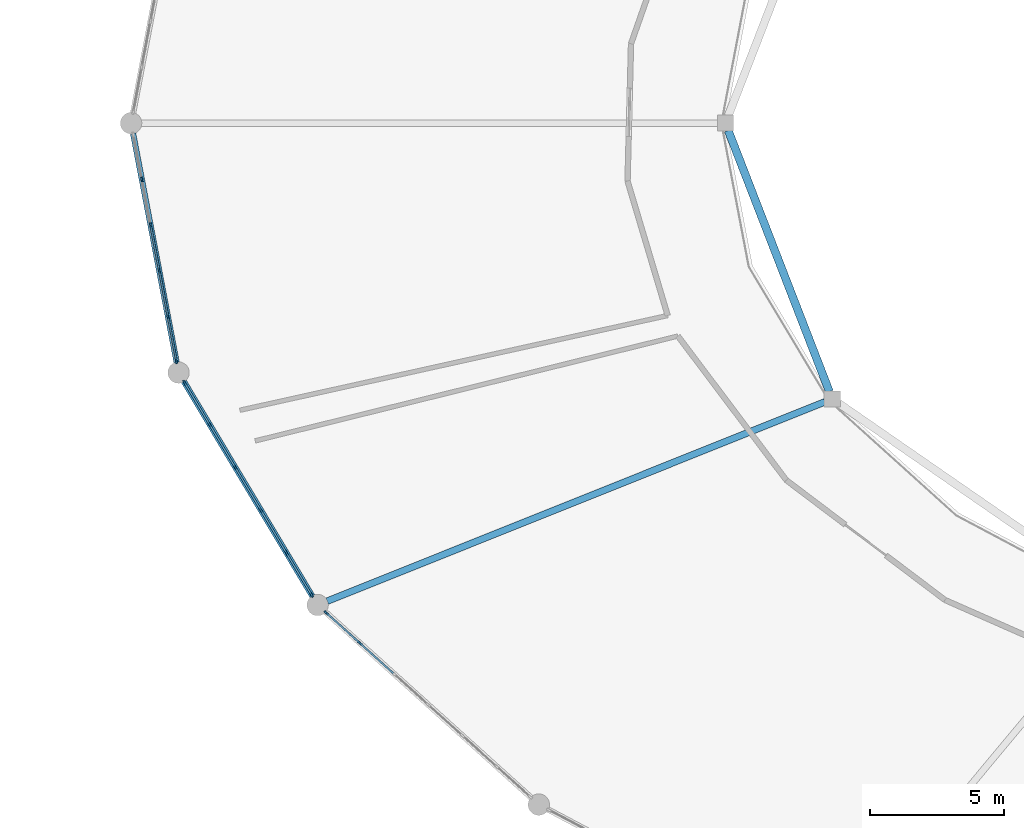
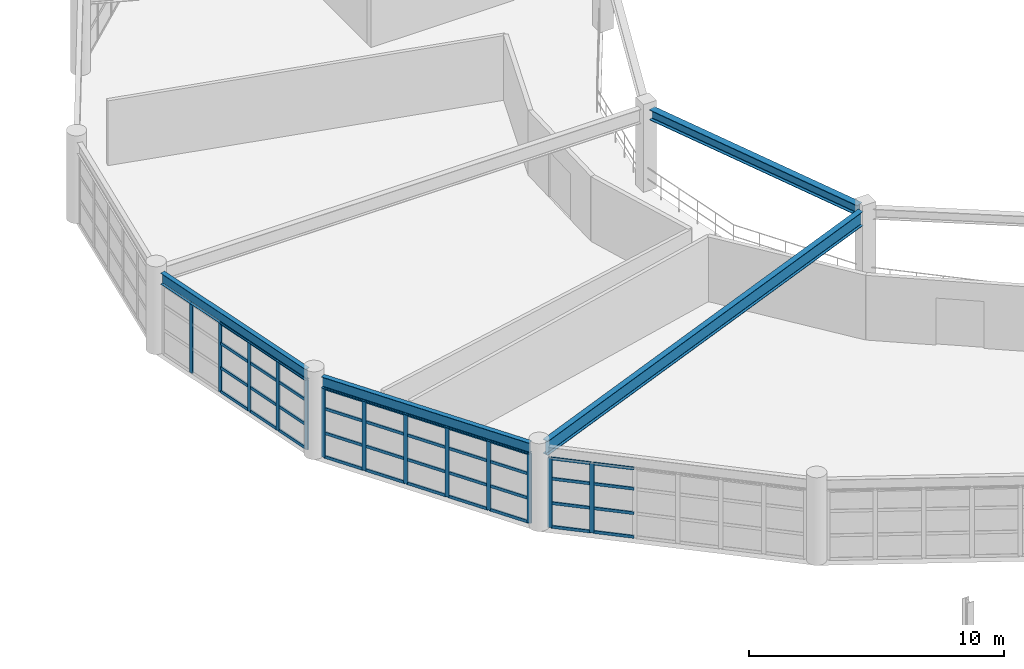
# One storey, part 32 of 100: 53 members, 4 beams, 3 elements without a shape of their own.
"""IFC4 building model written with IfcOpenShell, lengths in metres."""

from ifc_helpers import new_model, si_unit, direction, frame, origin, origin_2d, place, context, subcontext, project, spatial, rectangle, i_section, extrude, material, layer, layer_set, material_profile, profile_set, type_object, element, aggregate, save


model = new_model("IFC4")

# Units and contexts
model_context = context("Model", 3, precision=1e-05, world=origin(), true_north=direction((0.0, 1.0)))
body_context = subcontext(model_context, "Body", "Model", "MODEL_VIEW")
ifc_project = project(units=[si_unit("LENGTHUNIT", "METRE"), si_unit("AREAUNIT", "SQUARE_METRE"), si_unit("VOLUMEUNIT", "CUBIC_METRE"), si_unit("PLANEANGLEUNIT", "RADIAN"), si_unit("MASSUNIT", "GRAM", prefix="KILO")], contexts=[model_context])

# Site, building, storey
site_placement = place(None, origin())
site = spatial("IfcSite", under=ifc_project, at=site_placement, CompositionType="ELEMENT")
building_placement = place(site_placement, origin())
building = spatial("IfcBuilding", under=site, at=building_placement, Name="Kivolera Central Railway Station", CompositionType="ELEMENT")
storey_placement = place(building_placement, frame((0.0, 0.0, 5.39990234375)))
storey = spatial("IfcBuildingStorey", under=building, at=storey_placement, Name="L01", CompositionType="ELEMENT", Elevation=5.39990234375)

# Beams
ifc_material_1 = material(Name="Steel S355", Category="steel")
ifc_material_profile_1 = material_profile(ifc_material_1, i_section(OverallWidth=0.300048828125, OverallDepth=0.489990234375, WebThickness=0.011962890625, FlangeThickness=0.02294921875, FilletRadius=0.027099609375, at=origin_2d()), Name="HEA 500")
ifc_profile_set_1 = profile_set([ifc_material_profile_1], Name="Steel S355")
beam_type_1 = type_object("IfcBeamType", Name="BM-SHD-HEA500", PredefinedType="BEAM", material=ifc_profile_set_1)
beam_1_placement = place(storey_placement, frame((34.305908203125, 89.72802734375, 3.633056640625), z_axis=(0.361282774201, -0.932456303033, 0.0), x_axis=(0.932456303033, 0.361282774201, 0.0)))
element("IfcBeam", 1, at=beam_1_placement, inside=storey, type_object=beam_type_1, Name="L01 Oval Inner Gallery Ring Beam 07", PredefinedType="BEAM", context=body_context, shape_type="SweptSolid", body=[
    extrude(i_section(OverallWidth=0.300048828125, OverallDepth=0.489990234375, WebThickness=0.011962890625, FlangeThickness=0.02294921875, FilletRadius=0.027099609375, at=origin_2d()), origin(), (0.0, 0.0, 1.0), 10.462890625),
])
ifc_material_profile_2 = material_profile(ifc_material_1, i_section(OverallWidth=0.209228515625, OverallDepth=0.533203125, WebThickness=0.010009765625, FlangeThickness=0.015625, FilletRadius=0.0126953125, at=origin_2d()), Name="UB 533x210x92")
ifc_profile_set_2 = profile_set([ifc_material_profile_2], Name="Steel S355")
beam_type_2 = type_object("IfcBeamType", Name="BM-SHD-UB533", PredefinedType="BEAM", material=ifc_profile_set_2)
beam_2_placement = place(storey_placement, frame((12.072998046875, 89.616943359375, 3.611083984375), z_axis=(0.186802767636, -0.982397437906, 0.0), x_axis=(0.982397437906, 0.186802767636, 0.0)))
element("IfcBeam", 2, at=beam_2_placement, inside=storey, type_object=beam_type_2, Name="L01 Oval Perimeter Ring Beam 13", PredefinedType="BEAM", context=body_context, shape_type="SweptSolid", body=[
    extrude(i_section(OverallWidth=0.209228515625, OverallDepth=0.533203125, WebThickness=0.010009765625, FlangeThickness=0.015625, FilletRadius=0.0126953125, at=origin_2d()), origin(), (0.0, 0.0, 1.0), 8.704345703125),
])
beam_3_placement = place(storey_placement, frame((13.971923828125, 80.347900390625, 3.611083984375), z_axis=(0.513503459376, -0.858087523047, 0.0), x_axis=(0.858087523047, 0.513503459376, 0.0)))
element("IfcBeam", 3, at=beam_3_placement, inside=storey, type_object=beam_type_2, Name="L01 Oval Perimeter Ring Beam 14", PredefinedType="BEAM", context=body_context, shape_type="SweptSolid", body=[
    extrude(i_section(OverallWidth=0.209228515625, OverallDepth=0.533203125, WebThickness=0.010009765625, FlangeThickness=0.015625, FilletRadius=0.0126953125, at=origin_2d()), origin(), (0.0, 0.0, 1.0), 9.338134765625),
])
ifc_material_profile_3 = material_profile(ifc_material_1, i_section(OverallWidth=0.253662109375, OverallDepth=0.68359375, WebThickness=0.012451171875, FlangeThickness=0.01904296875, FilletRadius=0.01513671875, at=origin_2d()), Name="UB 686x254x140")
ifc_profile_set_3 = profile_set([ifc_material_profile_3], Name="Steel S355")
beam_type_3 = type_object("IfcBeamType", Name="BM-SHD-UB686", PredefinedType="BEAM", material=ifc_profile_set_3)
beam_4_placement = place(storey_placement, frame((37.9208984375, 79.591064453125, 3.5361328125), z_axis=(-0.928316028373, -0.371792080961, 0.0), x_axis=(0.371792080961, -0.928316028373, 0.0)))
element("IfcBeam", 4, at=beam_4_placement, inside=storey, type_object=beam_type_3, Name="L01 Oval Gallery Radial Girder 08", PredefinedType="BEAM", context=body_context, shape_type="SweptSolid", body=[
    extrude(i_section(OverallWidth=0.253662109375, OverallDepth=0.68359375, WebThickness=0.012451171875, FlangeThickness=0.01904296875, FilletRadius=0.01513671875, at=origin_2d()), origin(), (0.0, 0.0, 1.0), 20.02734375),
])

# Curtain wall, members
ifc_material_2 = material(Name="Anodised aluminium", Category="aluminium")
ifc_layer_1 = layer(ifc_material_2, 0.179931640625, Name="Anodised aluminium")
ifc_layer_set_1 = layer_set([ifc_layer_1], Name="Anodised aluminium")
curtain_wall_type_1 = type_object("IfcCurtainWallType", Name="CW-SYS-14", PredefinedType="NOTDEFINED", material=ifc_layer_set_1)
curtain_wall_1_placement = place(storey_placement, origin())
curtain_wall_1 = element("IfcCurtainWall", 5, at=curtain_wall_1_placement, inside=storey, type_object=curtain_wall_type_1, Name="L01 Curtain Wall CW-L01-OVL-12", PredefinedType="NOTDEFINED")
ifc_material_profile_4 = material_profile(ifc_material_2, rectangle(XDim=0.070068359375, YDim=0.179931640625, at=origin_2d()), Name="ALU MULL 70x180")
ifc_profile_set_4 = profile_set([ifc_material_profile_4], Name="Anodised aluminium")
member_type_1 = type_object("IfcMemberType", Name="CWM-MUL-1", PredefinedType="MULLION", material=ifc_profile_set_4)
member_1_placement = place(storey_placement, frame((13.6904296875, 81.1103515625, -0.0048828125), z_axis=(0.0, 0.0, 1.0), x_axis=(-0.982401003624, -0.186784014515, 0.0)))
member_1 = element("IfcMember", 6, at=member_1_placement, type_object=member_type_1, Name="CW-14 mullion 1", PredefinedType="MULLION", context=body_context, shape_type="SweptSolid", body=[
    extrude(rectangle(XDim=0.070068359375, YDim=0.179931640625, at=origin_2d()), origin(), (0.0, 0.0, 1.0), 3.344970703125),
])
member_2_placement = place(storey_placement, frame((13.37255859375, 82.7822265625, -0.0048828125), z_axis=(0.0, 0.0, 1.0), x_axis=(-0.982401003624, -0.186784014515, 0.0)))
member_2 = element("IfcMember", 7, at=member_2_placement, type_object=member_type_1, Name="CW-14 mullion 2", PredefinedType="MULLION", context=body_context, shape_type="SweptSolid", body=[
    extrude(rectangle(XDim=0.070068359375, YDim=0.179931640625, at=origin_2d()), origin(), (0.0, 0.0, 1.0), 3.344970703125),
])
member_3_placement = place(storey_placement, frame((13.048095703125, 84.48828125, -0.0048828125), z_axis=(0.0, 0.0, 1.0), x_axis=(-0.982401003624, -0.186784014515, 0.0)))
member_3 = element("IfcMember", 8, at=member_3_placement, type_object=member_type_1, Name="CW-14 mullion 3", PredefinedType="MULLION", context=body_context, shape_type="SweptSolid", body=[
    extrude(rectangle(XDim=0.070068359375, YDim=0.179931640625, at=origin_2d()), origin(), (0.0, 0.0, 1.0), 3.344970703125),
])
member_4_placement = place(storey_placement, frame((12.723876953125, 86.194580078125, -0.0048828125), z_axis=(0.0, 0.0, 1.0), x_axis=(-0.982401003624, -0.186784014515, 0.0)))
member_4 = element("IfcMember", 9, at=member_4_placement, type_object=member_type_1, Name="CW-14 mullion 4", PredefinedType="MULLION", context=body_context, shape_type="SweptSolid", body=[
    extrude(rectangle(XDim=0.070068359375, YDim=0.179931640625, at=origin_2d()), origin(), (0.0, 0.0, 1.0), 3.344970703125),
])
member_5_placement = place(storey_placement, frame((12.3994140625, 87.90087890625, -0.0048828125), z_axis=(0.0, 0.0, 1.0), x_axis=(-0.982401003624, -0.186784014515, 0.0)))
member_5 = element("IfcMember", 10, at=member_5_placement, type_object=member_type_1, Name="CW-14 mullion 5", PredefinedType="MULLION", context=body_context, shape_type="SweptSolid", body=[
    extrude(rectangle(XDim=0.070068359375, YDim=0.179931640625, at=origin_2d()), origin(), (0.0, 0.0, 1.0), 3.344970703125),
])

ifc_layer_2 = layer(ifc_material_2, 0.179931640625, Name="Anodised aluminium")
ifc_layer_set_2 = layer_set([ifc_layer_2], Name="Anodised aluminium")
curtain_wall_type_2 = type_object("IfcCurtainWallType", Name="CW-SYS-02", PredefinedType="NOTDEFINED", material=ifc_layer_set_2)
curtain_wall_2_placement = place(storey_placement, origin())
curtain_wall_2 = element("IfcCurtainWall", 11, at=curtain_wall_2_placement, inside=storey, type_object=curtain_wall_type_2, Name="L01 Curtain Wall CW-L01-OVL-13", PredefinedType="NOTDEFINED")
member_6_placement = place(storey_placement, frame((18.744140625, 72.373046875, -0.0048828125), z_axis=(0.0, 0.0, 1.0), x_axis=(-0.858117186396, -0.513453887327, 0.0)))
member_6 = element("IfcMember", 12, at=member_6_placement, type_object=member_type_1, Name="CW-02 mullion 1", PredefinedType="MULLION", context=body_context, shape_type="SweptSolid", body=[
    extrude(rectangle(XDim=0.070068359375, YDim=0.179931640625, at=origin_2d()), origin(), (0.0, 0.0, 1.0), 3.344970703125),
])
member_7_placement = place(storey_placement, frame((17.804931640625, 73.9423828125, -0.0048828125), z_axis=(0.0, 0.0, 1.0), x_axis=(-0.858117186396, -0.513453887327, 0.0)))
member_7 = element("IfcMember", 13, at=member_7_placement, type_object=member_type_1, Name="CW-02 mullion 2", PredefinedType="MULLION", context=body_context, shape_type="SweptSolid", body=[
    extrude(rectangle(XDim=0.070068359375, YDim=0.179931640625, at=origin_2d()), origin(), (0.0, 0.0, 1.0), 3.344970703125),
])
member_8_placement = place(storey_placement, frame((16.847900390625, 75.541748046875, -0.0048828125), z_axis=(0.0, 0.0, 1.0), x_axis=(-0.858117186396, -0.513453887327, 0.0)))
member_8 = element("IfcMember", 14, at=member_8_placement, type_object=member_type_1, Name="CW-02 mullion 3", PredefinedType="MULLION", context=body_context, shape_type="SweptSolid", body=[
    extrude(rectangle(XDim=0.070068359375, YDim=0.179931640625, at=origin_2d()), origin(), (0.0, 0.0, 1.0), 3.344970703125),
])
member_9_placement = place(storey_placement, frame((15.89111328125, 77.14111328125, -0.0048828125), z_axis=(0.0, 0.0, 1.0), x_axis=(-0.858117186396, -0.513453887327, 0.0)))
member_9 = element("IfcMember", 15, at=member_9_placement, type_object=member_type_1, Name="CW-02 mullion 4", PredefinedType="MULLION", context=body_context, shape_type="SweptSolid", body=[
    extrude(rectangle(XDim=0.070068359375, YDim=0.179931640625, at=origin_2d()), origin(), (0.0, 0.0, 1.0), 3.344970703125),
])
member_10_placement = place(storey_placement, frame((14.93408203125, 78.740478515625, -0.0048828125), z_axis=(0.0, 0.0, 1.0), x_axis=(-0.858117186396, -0.513453887327, 0.0)))
member_10 = element("IfcMember", 16, at=member_10_placement, type_object=member_type_1, Name="CW-02 mullion 5", PredefinedType="MULLION", context=body_context, shape_type="SweptSolid", body=[
    extrude(rectangle(XDim=0.070068359375, YDim=0.179931640625, at=origin_2d()), origin(), (0.0, 0.0, 1.0), 3.344970703125),
])
member_11_placement = place(storey_placement, frame((13.994873046875, 80.31005859375, -0.0048828125), z_axis=(0.0, 0.0, 1.0), x_axis=(-0.858117186396, -0.513453887327, 0.0)))
member_11 = element("IfcMember", 17, at=member_11_placement, type_object=member_type_1, Name="CW-02 mullion 6", PredefinedType="MULLION", context=body_context, shape_type="SweptSolid", body=[
    extrude(rectangle(XDim=0.070068359375, YDim=0.179931640625, at=origin_2d()), origin(), (0.0, 0.0, 1.0), 3.344970703125),
])

ifc_layer_3 = layer(ifc_material_2, 0.179931640625, Name="Anodised aluminium")
ifc_layer_set_3 = layer_set([ifc_layer_3], Name="Anodised aluminium")
curtain_wall_type_3 = type_object("IfcCurtainWallType", Name="CW-SYS-05", PredefinedType="NOTDEFINED", material=ifc_layer_set_3)
curtain_wall_3_placement = place(storey_placement, origin())
curtain_wall_3 = element("IfcCurtainWall", 18, at=curtain_wall_3_placement, inside=storey, type_object=curtain_wall_type_3, Name="L01 Curtain Wall CW-L01-OVL-14", PredefinedType="NOTDEFINED")
member_12_placement = place(storey_placement, frame((20.542236328125, 70.57861328125, -0.0048828125), z_axis=(0.0, 0.0, 1.0), x_axis=(-0.66992157428, -0.742431871833, 0.0)))
member_12 = element("IfcMember", 19, at=member_12_placement, type_object=member_type_1, Name="CW-05 mullion 6", PredefinedType="MULLION", context=body_context, shape_type="SweptSolid", body=[
    extrude(rectangle(XDim=0.070068359375, YDim=0.179931640625, at=origin_2d()), origin(), (0.0, 0.0, 1.0), 3.344970703125),
])
member_13_placement = place(storey_placement, frame((19.2900390625, 71.70849609375, -0.0048828125), z_axis=(0.0, 0.0, 1.0), x_axis=(-0.66992157428, -0.742431871833, 0.0)))
member_13 = element("IfcMember", 20, at=member_13_placement, type_object=member_type_1, Name="CW-05 mullion 7", PredefinedType="MULLION", context=body_context, shape_type="SweptSolid", body=[
    extrude(rectangle(XDim=0.070068359375, YDim=0.179931640625, at=origin_2d()), origin(), (0.0, 0.0, 1.0), 3.344970703125),
])

# Member
ifc_material_profile_5 = material_profile(ifc_material_2, rectangle(XDim=0.070068359375, YDim=0.139892578125, at=origin_2d()), Name="ALU TRAN 70x140")
ifc_profile_set_5 = profile_set([ifc_material_profile_5], Name="Anodised aluminium")
member_type_2 = type_object("IfcMemberType", Name="CWM-TRN-1", PredefinedType="USERDEFINED", material=ifc_profile_set_5)
member_14_placement = place(storey_placement, frame((13.683837890625, 81.144775390625, 0.03515625), z_axis=(-0.186727073043, 0.982411828203, 0.0), x_axis=(-0.982411828203, -0.186727073043, 0.0)))
member_14 = element("IfcMember", 21, at=member_14_placement, type_object=member_type_2, Name="CW-14 transom 1.1", ObjectType="TRANSOM", PredefinedType="USERDEFINED", context=body_context, shape_type="SweptSolid", body=[
    extrude(rectangle(XDim=0.070068359375, YDim=0.139892578125, at=origin_2d()), origin(), (0.0, 0.0, 1.0), 1.6318359375),
])

member_15_placement = place(storey_placement, frame((13.683837890625, 81.144775390625, 1.169189453125), z_axis=(-0.186727073043, 0.982411828203, 0.0), x_axis=(-0.982411828203, -0.186727073043, 0.0)))
member_15 = element("IfcMember", 22, at=member_15_placement, type_object=member_type_2, Name="CW-14 transom 1.2", ObjectType="TRANSOM", PredefinedType="USERDEFINED", context=body_context, shape_type="SweptSolid", body=[
    extrude(rectangle(XDim=0.070068359375, YDim=0.139892578125, at=origin_2d()), origin(), (0.0, 0.0, 1.0), 1.6318359375),
])

member_16_placement = place(storey_placement, frame((13.683837890625, 81.144775390625, 2.338134765625), z_axis=(-0.186727073043, 0.982411828203, 0.0), x_axis=(-0.982411828203, -0.186727073043, 0.0)))
member_16 = element("IfcMember", 23, at=member_16_placement, type_object=member_type_2, Name="CW-14 transom 1.3", ObjectType="TRANSOM", PredefinedType="USERDEFINED", context=body_context, shape_type="SweptSolid", body=[
    extrude(rectangle(XDim=0.070068359375, YDim=0.139892578125, at=origin_2d()), origin(), (0.0, 0.0, 1.0), 1.6318359375),
])

member_17_placement = place(storey_placement, frame((13.683837890625, 81.144775390625, 3.30517578125), z_axis=(-0.186727073043, 0.982411828203, 0.0), x_axis=(-0.982411828203, -0.186727073043, 0.0)))
member_17 = element("IfcMember", 24, at=member_17_placement, type_object=member_type_2, Name="CW-14 transom 1.4", ObjectType="TRANSOM", PredefinedType="USERDEFINED", context=body_context, shape_type="SweptSolid", body=[
    extrude(rectangle(XDim=0.070068359375, YDim=0.139892578125, at=origin_2d()), origin(), (0.0, 0.0, 1.0), 1.6318359375),
])

member_18_placement = place(storey_placement, frame((13.365966796875, 82.816650390625, 0.03515625), z_axis=(-0.186755363721, 0.98240645057, 0.0), x_axis=(-0.98240645057, -0.186755363721, 0.0)))
member_18 = element("IfcMember", 25, at=member_18_placement, type_object=member_type_2, Name="CW-14 transom 2.1", ObjectType="TRANSOM", PredefinedType="USERDEFINED", context=body_context, shape_type="SweptSolid", body=[
    extrude(rectangle(XDim=0.070068359375, YDim=0.139892578125, at=origin_2d()), origin(), (0.0, 0.0, 1.0), 1.666748046875),
])

member_19_placement = place(storey_placement, frame((13.365966796875, 82.816650390625, 1.169189453125), z_axis=(-0.186755363721, 0.98240645057, 0.0), x_axis=(-0.98240645057, -0.186755363721, 0.0)))
member_19 = element("IfcMember", 26, at=member_19_placement, type_object=member_type_2, Name="CW-14 transom 2.2", ObjectType="TRANSOM", PredefinedType="USERDEFINED", context=body_context, shape_type="SweptSolid", body=[
    extrude(rectangle(XDim=0.070068359375, YDim=0.139892578125, at=origin_2d()), origin(), (0.0, 0.0, 1.0), 1.666748046875),
])

member_20_placement = place(storey_placement, frame((13.365966796875, 82.816650390625, 2.338134765625), z_axis=(-0.186755363721, 0.98240645057, 0.0), x_axis=(-0.98240645057, -0.186755363721, 0.0)))
member_20 = element("IfcMember", 27, at=member_20_placement, type_object=member_type_2, Name="CW-14 transom 2.3", ObjectType="TRANSOM", PredefinedType="USERDEFINED", context=body_context, shape_type="SweptSolid", body=[
    extrude(rectangle(XDim=0.070068359375, YDim=0.139892578125, at=origin_2d()), origin(), (0.0, 0.0, 1.0), 1.666748046875),
])

member_21_placement = place(storey_placement, frame((13.365966796875, 82.816650390625, 3.30517578125), z_axis=(-0.186755363721, 0.98240645057, 0.0), x_axis=(-0.98240645057, -0.186755363721, 0.0)))
member_21 = element("IfcMember", 28, at=member_21_placement, type_object=member_type_2, Name="CW-14 transom 2.4", ObjectType="TRANSOM", PredefinedType="USERDEFINED", context=body_context, shape_type="SweptSolid", body=[
    extrude(rectangle(XDim=0.070068359375, YDim=0.139892578125, at=origin_2d()), origin(), (0.0, 0.0, 1.0), 1.666748046875),
])

member_22_placement = place(storey_placement, frame((13.041748046875, 84.522705078125, 0.03515625), z_axis=(-0.18689672403, 0.982379567452, 0.0), x_axis=(-0.982379567452, -0.18689672403, 0.0)))
member_22 = element("IfcMember", 29, at=member_22_placement, type_object=member_type_2, Name="CW-14 transom 3.1", ObjectType="TRANSOM", PredefinedType="USERDEFINED", context=body_context, shape_type="SweptSolid", body=[
    extrude(rectangle(XDim=0.070068359375, YDim=0.139892578125, at=origin_2d()), origin(), (0.0, 0.0, 1.0), 1.666748046875),
])

member_23_placement = place(storey_placement, frame((13.041748046875, 84.522705078125, 1.169189453125), z_axis=(-0.18689672403, 0.982379567452, 0.0), x_axis=(-0.982379567452, -0.18689672403, 0.0)))
member_23 = element("IfcMember", 30, at=member_23_placement, type_object=member_type_2, Name="CW-14 transom 3.2", ObjectType="TRANSOM", PredefinedType="USERDEFINED", context=body_context, shape_type="SweptSolid", body=[
    extrude(rectangle(XDim=0.070068359375, YDim=0.139892578125, at=origin_2d()), origin(), (0.0, 0.0, 1.0), 1.666748046875),
])

member_24_placement = place(storey_placement, frame((13.041748046875, 84.522705078125, 2.338134765625), z_axis=(-0.18689672403, 0.982379567452, 0.0), x_axis=(-0.982379567452, -0.18689672403, 0.0)))
member_24 = element("IfcMember", 31, at=member_24_placement, type_object=member_type_2, Name="CW-14 transom 3.3", ObjectType="TRANSOM", PredefinedType="USERDEFINED", context=body_context, shape_type="SweptSolid", body=[
    extrude(rectangle(XDim=0.070068359375, YDim=0.139892578125, at=origin_2d()), origin(), (0.0, 0.0, 1.0), 1.666748046875),
])

member_25_placement = place(storey_placement, frame((13.041748046875, 84.522705078125, 3.30517578125), z_axis=(-0.18689672403, 0.982379567452, 0.0), x_axis=(-0.982379567452, -0.18689672403, 0.0)))
member_25 = element("IfcMember", 32, at=member_25_placement, type_object=member_type_2, Name="CW-14 transom 3.4", ObjectType="TRANSOM", PredefinedType="USERDEFINED", context=body_context, shape_type="SweptSolid", body=[
    extrude(rectangle(XDim=0.070068359375, YDim=0.139892578125, at=origin_2d()), origin(), (0.0, 0.0, 1.0), 1.666748046875),
])

aggregate(curtain_wall_1, [member_1, member_2, member_3, member_4, member_5, member_14, member_15, member_16, member_17, member_18, member_19, member_20, member_21, member_22, member_23, member_24, member_25])

member_26_placement = place(storey_placement, frame((18.72607421875, 72.403076171875, 0.03515625), z_axis=(-0.513454309114, 0.85811693402, 0.0), x_axis=(-0.85811693402, -0.513454309114, 0.0)))
member_26 = element("IfcMember", 33, at=member_26_placement, type_object=member_type_2, Name="CW-02 transom 1.1", ObjectType="TRANSOM", PredefinedType="USERDEFINED", context=body_context, shape_type="SweptSolid", body=[
    extrude(rectangle(XDim=0.070068359375, YDim=0.139892578125, at=origin_2d()), origin(), (0.0, 0.0, 1.0), 1.7587890625),
])

member_27_placement = place(storey_placement, frame((18.72607421875, 72.403076171875, 1.169189453125), z_axis=(-0.513454309114, 0.85811693402, 0.0), x_axis=(-0.85811693402, -0.513454309114, 0.0)))
member_27 = element("IfcMember", 34, at=member_27_placement, type_object=member_type_2, Name="CW-02 transom 1.2", ObjectType="TRANSOM", PredefinedType="USERDEFINED", context=body_context, shape_type="SweptSolid", body=[
    extrude(rectangle(XDim=0.070068359375, YDim=0.139892578125, at=origin_2d()), origin(), (0.0, 0.0, 1.0), 1.7587890625),
])

member_28_placement = place(storey_placement, frame((18.72607421875, 72.403076171875, 2.338134765625), z_axis=(-0.513454309114, 0.85811693402, 0.0), x_axis=(-0.85811693402, -0.513454309114, 0.0)))
member_28 = element("IfcMember", 35, at=member_28_placement, type_object=member_type_2, Name="CW-02 transom 1.3", ObjectType="TRANSOM", PredefinedType="USERDEFINED", context=body_context, shape_type="SweptSolid", body=[
    extrude(rectangle(XDim=0.070068359375, YDim=0.139892578125, at=origin_2d()), origin(), (0.0, 0.0, 1.0), 1.7587890625),
])

member_29_placement = place(storey_placement, frame((18.72607421875, 72.403076171875, 3.30517578125), z_axis=(-0.513454309114, 0.85811693402, 0.0), x_axis=(-0.85811693402, -0.513454309114, 0.0)))
member_29 = element("IfcMember", 36, at=member_29_placement, type_object=member_type_2, Name="CW-02 transom 1.4", ObjectType="TRANSOM", PredefinedType="USERDEFINED", context=body_context, shape_type="SweptSolid", body=[
    extrude(rectangle(XDim=0.070068359375, YDim=0.139892578125, at=origin_2d()), origin(), (0.0, 0.0, 1.0), 1.7587890625),
])

member_30_placement = place(storey_placement, frame((17.787109375, 73.972412109375, 0.03515625), z_axis=(-0.513494690452, 0.858092770554, 0.0), x_axis=(-0.858092770554, -0.513494690452, 0.0)))
member_30 = element("IfcMember", 37, at=member_30_placement, type_object=member_type_2, Name="CW-02 transom 2.1", ObjectType="TRANSOM", PredefinedType="USERDEFINED", context=body_context, shape_type="SweptSolid", body=[
    extrude(rectangle(XDim=0.070068359375, YDim=0.139892578125, at=origin_2d()), origin(), (0.0, 0.0, 1.0), 1.7939453125),
])

member_31_placement = place(storey_placement, frame((17.787109375, 73.972412109375, 1.169189453125), z_axis=(-0.513494690452, 0.858092770554, 0.0), x_axis=(-0.858092770554, -0.513494690452, 0.0)))
member_31 = element("IfcMember", 38, at=member_31_placement, type_object=member_type_2, Name="CW-02 transom 2.2", ObjectType="TRANSOM", PredefinedType="USERDEFINED", context=body_context, shape_type="SweptSolid", body=[
    extrude(rectangle(XDim=0.070068359375, YDim=0.139892578125, at=origin_2d()), origin(), (0.0, 0.0, 1.0), 1.7939453125),
])

member_32_placement = place(storey_placement, frame((17.787109375, 73.972412109375, 2.338134765625), z_axis=(-0.513494690452, 0.858092770554, 0.0), x_axis=(-0.858092770554, -0.513494690452, 0.0)))
member_32 = element("IfcMember", 39, at=member_32_placement, type_object=member_type_2, Name="CW-02 transom 2.3", ObjectType="TRANSOM", PredefinedType="USERDEFINED", context=body_context, shape_type="SweptSolid", body=[
    extrude(rectangle(XDim=0.070068359375, YDim=0.139892578125, at=origin_2d()), origin(), (0.0, 0.0, 1.0), 1.7939453125),
])

member_33_placement = place(storey_placement, frame((17.787109375, 73.972412109375, 3.30517578125), z_axis=(-0.513494690452, 0.858092770554, 0.0), x_axis=(-0.858092770554, -0.513494690452, 0.0)))
member_33 = element("IfcMember", 40, at=member_33_placement, type_object=member_type_2, Name="CW-02 transom 2.4", ObjectType="TRANSOM", PredefinedType="USERDEFINED", context=body_context, shape_type="SweptSolid", body=[
    extrude(rectangle(XDim=0.070068359375, YDim=0.139892578125, at=origin_2d()), origin(), (0.0, 0.0, 1.0), 1.7939453125),
])

member_34_placement = place(storey_placement, frame((16.830078125, 75.57177734375, 0.03515625), z_axis=(-0.513494690452, 0.858092770554, 0.0), x_axis=(-0.858092770554, -0.513494690452, 0.0)))
member_34 = element("IfcMember", 41, at=member_34_placement, type_object=member_type_2, Name="CW-02 transom 3.1", ObjectType="TRANSOM", PredefinedType="USERDEFINED", context=body_context, shape_type="SweptSolid", body=[
    extrude(rectangle(XDim=0.070068359375, YDim=0.139892578125, at=origin_2d()), origin(), (0.0, 0.0, 1.0), 1.7939453125),
])

member_35_placement = place(storey_placement, frame((16.830078125, 75.57177734375, 1.169189453125), z_axis=(-0.513494690452, 0.858092770554, 0.0), x_axis=(-0.858092770554, -0.513494690452, 0.0)))
member_35 = element("IfcMember", 42, at=member_35_placement, type_object=member_type_2, Name="CW-02 transom 3.2", ObjectType="TRANSOM", PredefinedType="USERDEFINED", context=body_context, shape_type="SweptSolid", body=[
    extrude(rectangle(XDim=0.070068359375, YDim=0.139892578125, at=origin_2d()), origin(), (0.0, 0.0, 1.0), 1.7939453125),
])

member_36_placement = place(storey_placement, frame((16.830078125, 75.57177734375, 2.338134765625), z_axis=(-0.513494690452, 0.858092770554, 0.0), x_axis=(-0.858092770554, -0.513494690452, 0.0)))
member_36 = element("IfcMember", 43, at=member_36_placement, type_object=member_type_2, Name="CW-02 transom 3.3", ObjectType="TRANSOM", PredefinedType="USERDEFINED", context=body_context, shape_type="SweptSolid", body=[
    extrude(rectangle(XDim=0.070068359375, YDim=0.139892578125, at=origin_2d()), origin(), (0.0, 0.0, 1.0), 1.7939453125),
])

member_37_placement = place(storey_placement, frame((16.830078125, 75.57177734375, 3.30517578125), z_axis=(-0.513494690452, 0.858092770554, 0.0), x_axis=(-0.858092770554, -0.513494690452, 0.0)))
member_37 = element("IfcMember", 44, at=member_37_placement, type_object=member_type_2, Name="CW-02 transom 3.4", ObjectType="TRANSOM", PredefinedType="USERDEFINED", context=body_context, shape_type="SweptSolid", body=[
    extrude(rectangle(XDim=0.070068359375, YDim=0.139892578125, at=origin_2d()), origin(), (0.0, 0.0, 1.0), 1.7939453125),
])

member_38_placement = place(storey_placement, frame((15.873046875, 77.171142578125, 0.03515625), z_axis=(-0.513494690452, 0.858092770554, 0.0), x_axis=(-0.858092770554, -0.513494690452, 0.0)))
member_38 = element("IfcMember", 45, at=member_38_placement, type_object=member_type_2, Name="CW-02 transom 4.1", ObjectType="TRANSOM", PredefinedType="USERDEFINED", context=body_context, shape_type="SweptSolid", body=[
    extrude(rectangle(XDim=0.070068359375, YDim=0.139892578125, at=origin_2d()), origin(), (0.0, 0.0, 1.0), 1.7939453125),
])

member_39_placement = place(storey_placement, frame((15.873046875, 77.171142578125, 1.169189453125), z_axis=(-0.513494690452, 0.858092770554, 0.0), x_axis=(-0.858092770554, -0.513494690452, 0.0)))
member_39 = element("IfcMember", 46, at=member_39_placement, type_object=member_type_2, Name="CW-02 transom 4.2", ObjectType="TRANSOM", PredefinedType="USERDEFINED", context=body_context, shape_type="SweptSolid", body=[
    extrude(rectangle(XDim=0.070068359375, YDim=0.139892578125, at=origin_2d()), origin(), (0.0, 0.0, 1.0), 1.7939453125),
])

member_40_placement = place(storey_placement, frame((15.873046875, 77.171142578125, 2.338134765625), z_axis=(-0.513494690452, 0.858092770554, 0.0), x_axis=(-0.858092770554, -0.513494690452, 0.0)))
member_40 = element("IfcMember", 47, at=member_40_placement, type_object=member_type_2, Name="CW-02 transom 4.3", ObjectType="TRANSOM", PredefinedType="USERDEFINED", context=body_context, shape_type="SweptSolid", body=[
    extrude(rectangle(XDim=0.070068359375, YDim=0.139892578125, at=origin_2d()), origin(), (0.0, 0.0, 1.0), 1.7939453125),
])

member_41_placement = place(storey_placement, frame((15.873046875, 77.171142578125, 3.30517578125), z_axis=(-0.513494690452, 0.858092770554, 0.0), x_axis=(-0.858092770554, -0.513494690452, 0.0)))
member_41 = element("IfcMember", 48, at=member_41_placement, type_object=member_type_2, Name="CW-02 transom 4.4", ObjectType="TRANSOM", PredefinedType="USERDEFINED", context=body_context, shape_type="SweptSolid", body=[
    extrude(rectangle(XDim=0.070068359375, YDim=0.139892578125, at=origin_2d()), origin(), (0.0, 0.0, 1.0), 1.7939453125),
])

member_42_placement = place(storey_placement, frame((14.916015625, 78.770751953125, 0.03515625), z_axis=(-0.513454309114, 0.85811693402, 0.0), x_axis=(-0.85811693402, -0.513454309114, 0.0)))
member_42 = element("IfcMember", 49, at=member_42_placement, type_object=member_type_2, Name="CW-02 transom 5.1", ObjectType="TRANSOM", PredefinedType="USERDEFINED", context=body_context, shape_type="SweptSolid", body=[
    extrude(rectangle(XDim=0.070068359375, YDim=0.139892578125, at=origin_2d()), origin(), (0.0, 0.0, 1.0), 1.7587890625),
])

member_43_placement = place(storey_placement, frame((14.916015625, 78.770751953125, 1.169189453125), z_axis=(-0.513454309114, 0.85811693402, 0.0), x_axis=(-0.85811693402, -0.513454309114, 0.0)))
member_43 = element("IfcMember", 50, at=member_43_placement, type_object=member_type_2, Name="CW-02 transom 5.2", ObjectType="TRANSOM", PredefinedType="USERDEFINED", context=body_context, shape_type="SweptSolid", body=[
    extrude(rectangle(XDim=0.070068359375, YDim=0.139892578125, at=origin_2d()), origin(), (0.0, 0.0, 1.0), 1.7587890625),
])

member_44_placement = place(storey_placement, frame((14.916015625, 78.770751953125, 2.338134765625), z_axis=(-0.513454309114, 0.85811693402, 0.0), x_axis=(-0.85811693402, -0.513454309114, 0.0)))
member_44 = element("IfcMember", 51, at=member_44_placement, type_object=member_type_2, Name="CW-02 transom 5.3", ObjectType="TRANSOM", PredefinedType="USERDEFINED", context=body_context, shape_type="SweptSolid", body=[
    extrude(rectangle(XDim=0.070068359375, YDim=0.139892578125, at=origin_2d()), origin(), (0.0, 0.0, 1.0), 1.7587890625),
])

member_45_placement = place(storey_placement, frame((14.916015625, 78.770751953125, 3.30517578125), z_axis=(-0.513454309114, 0.85811693402, 0.0), x_axis=(-0.85811693402, -0.513454309114, 0.0)))
member_45 = element("IfcMember", 52, at=member_45_placement, type_object=member_type_2, Name="CW-02 transom 5.4", ObjectType="TRANSOM", PredefinedType="USERDEFINED", context=body_context, shape_type="SweptSolid", body=[
    extrude(rectangle(XDim=0.070068359375, YDim=0.139892578125, at=origin_2d()), origin(), (0.0, 0.0, 1.0), 1.7587890625),
])

aggregate(curtain_wall_2, [member_6, member_7, member_8, member_9, member_10, member_11, member_26, member_27, member_28, member_29, member_30, member_31, member_32, member_33, member_34, member_35, member_36, member_37, member_38, member_39, member_40, member_41, member_42, member_43, member_44, member_45])

member_46_placement = place(storey_placement, frame((21.79443359375, 69.44873046875, 0.03515625), z_axis=(-0.74246304586, 0.669887024455, 0.0), x_axis=(-0.669887024455, -0.74246304586, 0.0)))
member_46 = element("IfcMember", 53, at=member_46_placement, type_object=member_type_2, Name="CW-05 transom 5.1", ObjectType="TRANSOM", PredefinedType="USERDEFINED", context=body_context, shape_type="SweptSolid", body=[
    extrude(rectangle(XDim=0.070068359375, YDim=0.139892578125, at=origin_2d()), origin(), (0.0, 0.0, 1.0), 1.651611328125),
])

member_47_placement = place(storey_placement, frame((21.79443359375, 69.44873046875, 1.169189453125), z_axis=(-0.74246304586, 0.669887024455, 0.0), x_axis=(-0.669887024455, -0.74246304586, 0.0)))
member_47 = element("IfcMember", 54, at=member_47_placement, type_object=member_type_2, Name="CW-05 transom 5.2", ObjectType="TRANSOM", PredefinedType="USERDEFINED", context=body_context, shape_type="SweptSolid", body=[
    extrude(rectangle(XDim=0.070068359375, YDim=0.139892578125, at=origin_2d()), origin(), (0.0, 0.0, 1.0), 1.651611328125),
])

member_48_placement = place(storey_placement, frame((21.79443359375, 69.44873046875, 2.338134765625), z_axis=(-0.74246304586, 0.669887024455, 0.0), x_axis=(-0.669887024455, -0.74246304586, 0.0)))
member_48 = element("IfcMember", 55, at=member_48_placement, type_object=member_type_2, Name="CW-05 transom 5.3", ObjectType="TRANSOM", PredefinedType="USERDEFINED", context=body_context, shape_type="SweptSolid", body=[
    extrude(rectangle(XDim=0.070068359375, YDim=0.139892578125, at=origin_2d()), origin(), (0.0, 0.0, 1.0), 1.651611328125),
])

member_49_placement = place(storey_placement, frame((21.79443359375, 69.44873046875, 3.30517578125), z_axis=(-0.74246304586, 0.669887024455, 0.0), x_axis=(-0.669887024455, -0.74246304586, 0.0)))
member_49 = element("IfcMember", 56, at=member_49_placement, type_object=member_type_2, Name="CW-05 transom 5.4", ObjectType="TRANSOM", PredefinedType="USERDEFINED", context=body_context, shape_type="SweptSolid", body=[
    extrude(rectangle(XDim=0.070068359375, YDim=0.139892578125, at=origin_2d()), origin(), (0.0, 0.0, 1.0), 1.651611328125),
])

member_50_placement = place(storey_placement, frame((20.51611328125, 70.60205078125, 0.03515625), z_axis=(-0.742422429893, 0.66993203804, 0.0), x_axis=(-0.66993203804, -0.742422429893, 0.0)))
member_50 = element("IfcMember", 57, at=member_50_placement, type_object=member_type_2, Name="CW-05 transom 6.1", ObjectType="TRANSOM", PredefinedType="USERDEFINED", context=body_context, shape_type="SweptSolid", body=[
    extrude(rectangle(XDim=0.070068359375, YDim=0.139892578125, at=origin_2d()), origin(), (0.0, 0.0, 1.0), 1.61669921875),
])

member_51_placement = place(storey_placement, frame((20.51611328125, 70.60205078125, 1.169189453125), z_axis=(-0.742422429893, 0.66993203804, 0.0), x_axis=(-0.66993203804, -0.742422429893, 0.0)))
member_51 = element("IfcMember", 58, at=member_51_placement, type_object=member_type_2, Name="CW-05 transom 6.2", ObjectType="TRANSOM", PredefinedType="USERDEFINED", context=body_context, shape_type="SweptSolid", body=[
    extrude(rectangle(XDim=0.070068359375, YDim=0.139892578125, at=origin_2d()), origin(), (0.0, 0.0, 1.0), 1.61669921875),
])

member_52_placement = place(storey_placement, frame((20.51611328125, 70.60205078125, 2.338134765625), z_axis=(-0.742422429893, 0.66993203804, 0.0), x_axis=(-0.66993203804, -0.742422429893, 0.0)))
member_52 = element("IfcMember", 59, at=member_52_placement, type_object=member_type_2, Name="CW-05 transom 6.3", ObjectType="TRANSOM", PredefinedType="USERDEFINED", context=body_context, shape_type="SweptSolid", body=[
    extrude(rectangle(XDim=0.070068359375, YDim=0.139892578125, at=origin_2d()), origin(), (0.0, 0.0, 1.0), 1.61669921875),
])

member_53_placement = place(storey_placement, frame((20.51611328125, 70.60205078125, 3.30517578125), z_axis=(-0.742422429893, 0.66993203804, 0.0), x_axis=(-0.66993203804, -0.742422429893, 0.0)))
member_53 = element("IfcMember", 60, at=member_53_placement, type_object=member_type_2, Name="CW-05 transom 6.4", ObjectType="TRANSOM", PredefinedType="USERDEFINED", context=body_context, shape_type="SweptSolid", body=[
    extrude(rectangle(XDim=0.070068359375, YDim=0.139892578125, at=origin_2d()), origin(), (0.0, 0.0, 1.0), 1.61669921875),
])

aggregate(curtain_wall_3, [member_12, member_13, member_46, member_47, member_48, member_49, member_50, member_51, member_52, member_53])

save(model, "model.ifc")
